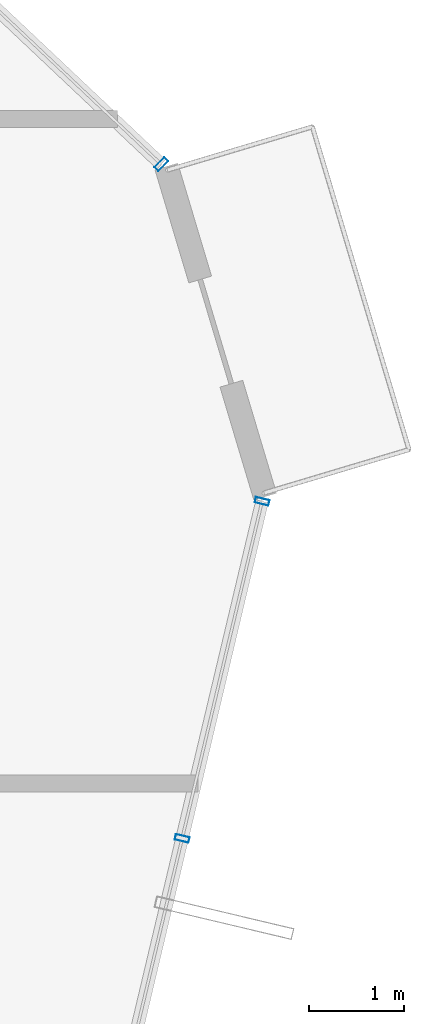
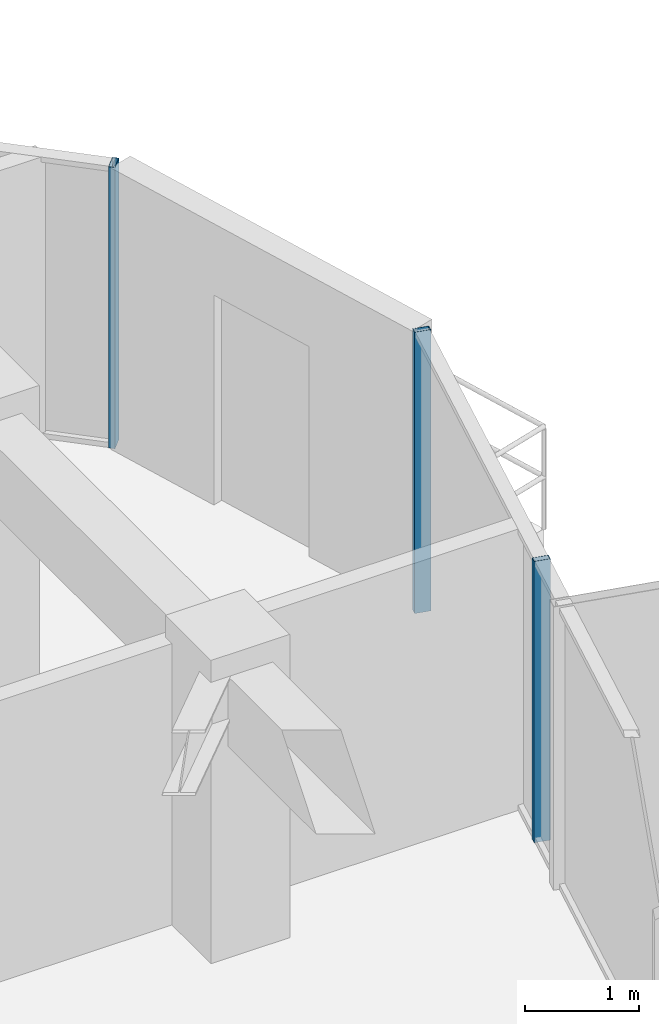
# One storey, part 19 of 28: 3 members, 2 elements without a shape of their own.
"""IFC4 building model written with IfcOpenShell, lengths in metres."""

from ifc_helpers import new_model, si_unit, direction, frame, origin, origin_2d, place, context, subcontext, project, spatial, hollow_rectangle, extrude, source, transform, mapped, material, layer, layer_set, material_profile, profile_set, type_object, element, aggregate, save


model = new_model("IFC4")

# Units and contexts
model_context = context("Model", 3, precision=1e-05, world=origin(), true_north=direction((0.0, 1.0)))
body_context = subcontext(model_context, "Body", "Model", "MODEL_VIEW")
ifc_project = project(units=[si_unit("LENGTHUNIT", "METRE"), si_unit("AREAUNIT", "SQUARE_METRE"), si_unit("VOLUMEUNIT", "CUBIC_METRE"), si_unit("PLANEANGLEUNIT", "RADIAN"), si_unit("MASSUNIT", "GRAM", prefix="KILO")], contexts=[model_context])

# Site, building, storey
site_placement = place(None, origin())
site = spatial("IfcSite", under=ifc_project, at=site_placement, CompositionType="ELEMENT")
building_placement = place(site_placement, origin())
building = spatial("IfcBuilding", under=site, at=building_placement, Name="Veraguas Prism Commons", CompositionType="ELEMENT")
storey_placement = place(building_placement, frame((0.0, 0.0, 254.5)))
storey = spatial("IfcBuildingStorey", under=building, at=storey_placement, Name="L72", CompositionType="ELEMENT", Elevation=254.5)

# Curtain wall, member
ifc_material = material(Name="Anodised aluminium EN AW-6063 T6", Category="aluminium")
ifc_layer = layer(ifc_material, 0.14990234375, Name="Unitised Flush Curtain Wall Zone 4", Category="aluminium")
ifc_layer_set = layer_set([ifc_layer], Name="Anodised aluminium EN AW-6063 T6")
curtain_wall_type = type_object("IfcCurtainWallType", Name="Unitised Flush Curtain Wall Zone 4", PredefinedType="NOTDEFINED", material=ifc_layer_set)
curtain_wall_1_placement = place(storey_placement, origin())
curtain_wall_1 = element("IfcCurtainWall", 1, at=curtain_wall_1_placement, inside=storey, type_object=curtain_wall_type, Name="Tower Facade Curtain Wall L72-F1", PredefinedType="NOTDEFINED")
ifc_material_profile = material_profile(ifc_material, hollow_rectangle(XDim=0.06005859375, YDim=0.14990234375, WallThickness=0.0029296875, at=origin_2d()), Name="AL60X150X3")
ifc_profile_set = profile_set([ifc_material_profile], Name="Anodised aluminium EN AW-6063 T6")
member_type = type_object("IfcMemberType", Name="Curtain Wall Mullion Upper AL 60x150x3", PredefinedType="MULLION", material=ifc_profile_set)
shared_shape = source(origin(), body_context, "Body", "SweptSolid", [
    extrude(hollow_rectangle(XDim=0.06005859375, YDim=0.14990234375, WallThickness=0.0029296875, at=origin_2d()), origin(), (0.0, 0.0, 1.0), 3.014892578125),
])
member_1_placement = place(storey_placement, frame((40.64111328125, 30.920654296875, 0.0), z_axis=(0.0, 0.0, 1.0), x_axis=(-0.727296184535, 0.686323728251, 0.0)))
member_1 = element("IfcMember", 2, at=member_1_placement, type_object=member_type, Name="CW-Z4 Mullion 1", PredefinedType="MULLION", context=body_context, shape_type="MappedRepresentation", body=[
    mapped(shared_shape, transform((0.0, 0.0, 0.0), scale=1.0)),
])
aggregate(curtain_wall_1, [member_1])

# Curtain wall, members
curtain_wall_2_placement = place(storey_placement, origin())
curtain_wall_2 = element("IfcCurtainWall", 3, at=curtain_wall_2_placement, inside=storey, type_object=curtain_wall_type, Name="Tower Facade Curtain Wall L72-F6", PredefinedType="NOTDEFINED")
member_2_placement = place(storey_placement, frame((40.8623046875, 23.79541015625, 0.0), z_axis=(0.0, 0.0, 1.0), x_axis=(0.230740975733, 0.973015211658, 0.0)))
member_2 = element("IfcMember", 4, at=member_2_placement, type_object=member_type, Name="CW-Z4 Mullion 4", PredefinedType="MULLION", context=body_context, shape_type="MappedRepresentation", body=[
    mapped(shared_shape, transform((0.0, 0.0, 0.0), scale=1.0)),
])
member_3_placement = place(storey_placement, frame((41.707275390625, 27.358154296875, 0.0), z_axis=(0.0, 0.0, 1.0), x_axis=(0.230740975733, 0.973015211658, 0.0)))
member_3 = element("IfcMember", 5, at=member_3_placement, type_object=member_type, Name="CW-Z4 Mullion 5", PredefinedType="MULLION", context=body_context, shape_type="MappedRepresentation", body=[
    mapped(shared_shape, transform((0.0, 0.0, 0.0), scale=1.0)),
])
aggregate(curtain_wall_2, [member_2, member_3])

save(model, "model.ifc")
